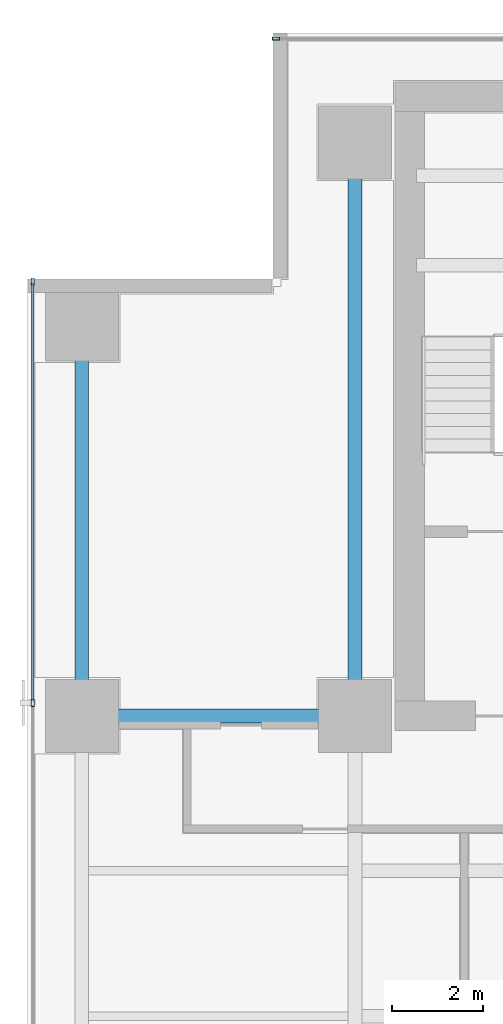
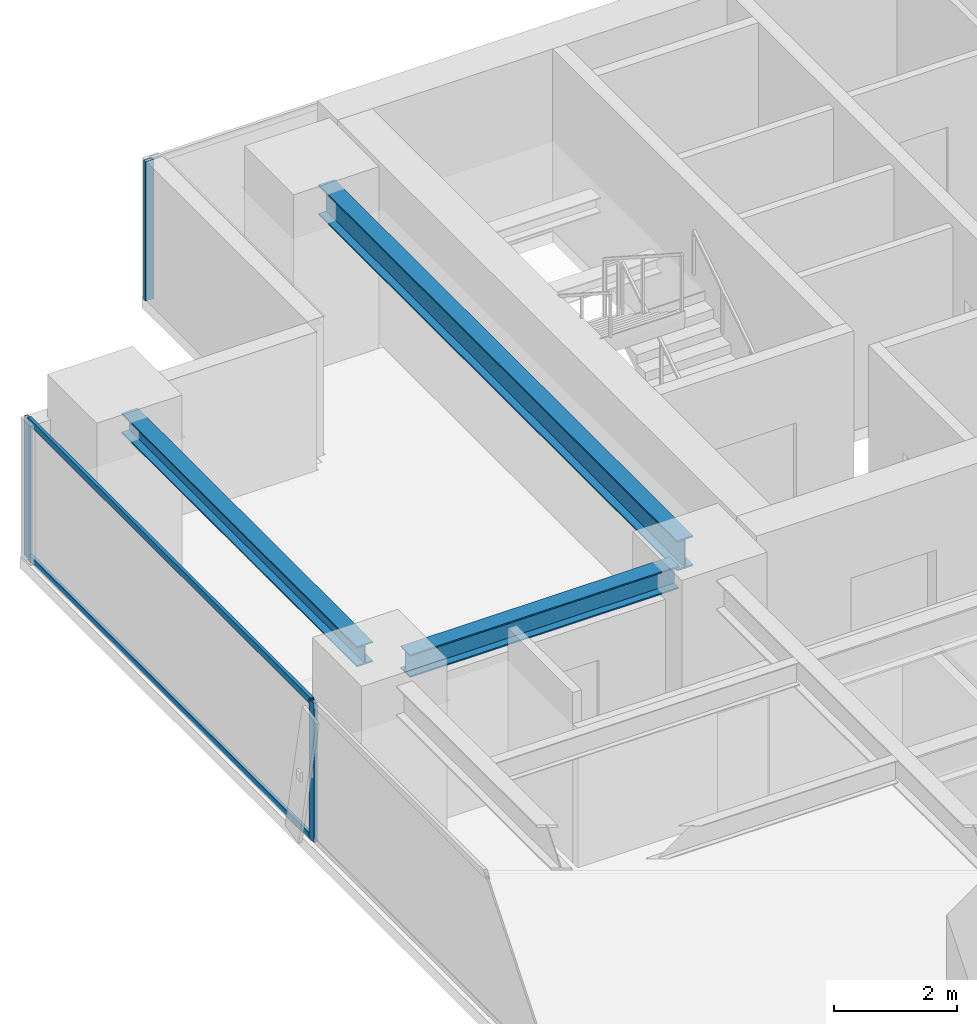
# One storey, part 14 of 27: 5 members, 3 beams, 2 elements without a shape of their own.
"""IFC4 building model written with IfcOpenShell, lengths in metres."""

from ifc_helpers import new_model, si_unit, direction, frame, origin, origin_2d, place, context, subcontext, project, spatial, hollow_rectangle, i_section, extrude, source, transform, mapped, material, layer, layer_set, material_profile, profile_set, type_object, element, aggregate, save


model = new_model("IFC4")

# Units and contexts
model_context = context("Model", 3, precision=1e-05, world=origin(), true_north=direction((0.0, 1.0)))
body_context = subcontext(model_context, "Body", "Model", "MODEL_VIEW")
ifc_project = project(units=[si_unit("LENGTHUNIT", "METRE"), si_unit("AREAUNIT", "SQUARE_METRE"), si_unit("VOLUMEUNIT", "CUBIC_METRE"), si_unit("PLANEANGLEUNIT", "RADIAN"), si_unit("MASSUNIT", "GRAM", prefix="KILO")], contexts=[model_context])

# Site, building, storey
site_placement = place(None, origin())
site = spatial("IfcSite", under=ifc_project, at=site_placement, CompositionType="ELEMENT")
building_placement = place(site_placement, origin())
building = spatial("IfcBuilding", under=site, at=building_placement, Name="Sumidabori Civic Tower", CompositionType="ELEMENT")
storey_placement = place(building_placement, frame((0.0, 0.0, 160.39990234375)))
storey = spatial("IfcBuildingStorey", under=building, at=storey_placement, Name="L41", CompositionType="ELEMENT", Elevation=160.39990234375)

# Beams
ifc_material_1 = material(Name="Steel SN490", Category="steel")
ifc_material_profile_1 = material_profile(ifc_material_1, i_section(OverallWidth=0.300048828125, OverallDepth=0.39990234375, WebThickness=0.013427734375, FlangeThickness=0.02392578125, at=origin_2d()), Name="HE 400 B")
ifc_profile_set_1 = profile_set([ifc_material_profile_1], Name="Steel SN490")
beam_type_1 = type_object("IfcBeamType", Name="BM-GIRD-400", PredefinedType="BEAM", material=ifc_profile_set_1)
shared_shape_1 = source(origin(), body_context, "Body", "SweptSolid", [
    extrude(i_section(OverallWidth=0.300048828125, OverallDepth=0.39990234375, WebThickness=0.013427734375, FlangeThickness=0.02392578125, at=origin_2d()), origin(), (0.0, 0.0, 1.0), 7.64013671875),
])
beam_1_placement = place(storey_placement, frame((-22.800048828125, 10.679931640625, 3.18017578125), z_axis=(0.0, 1.0, 0.0), x_axis=(-1.0, 0.0, 0.0)))
element("IfcBeam", 1, at=beam_1_placement, inside=storey, type_object=beam_type_1, Name="Primary Girder L41 GY-21", PredefinedType="BEAM", context=body_context, shape_type="MappedRepresentation", body=[
    mapped(shared_shape_1, transform((0.0, 0.0, 0.0), x_axis=(1.0, 0.0, 0.0), y_axis=(0.0, 1.0, 0.0), z_axis=(0.0, 0.0, 1.0), scale=1.0)),
])
ifc_material_profile_2 = material_profile(ifc_material_1, i_section(OverallWidth=0.300048828125, OverallDepth=0.60009765625, WebThickness=0.015380859375, FlangeThickness=0.030029296875, at=origin_2d()), Name="HE 600 B")
ifc_profile_set_2 = profile_set([ifc_material_profile_2], Name="Steel SN490")
beam_type_2 = type_object("IfcBeamType", Name="BM-GIRD-600", PredefinedType="BEAM", material=ifc_profile_set_2)
shared_shape_2 = source(origin(), body_context, "Body", "SweptSolid", [
    extrude(i_section(OverallWidth=0.300048828125, OverallDepth=0.60009765625, WebThickness=0.015380859375, FlangeThickness=0.030029296875, at=origin_2d()), origin(), (0.0, 0.0, 1.0), 11.64013671875),
])
beam_2_placement = place(storey_placement, frame((-16.800048828125, 10.679931640625, 3.080078125), z_axis=(0.0, 1.0, 0.0), x_axis=(-1.0, 0.0, 0.0)))
element("IfcBeam", 2, at=beam_2_placement, inside=storey, type_object=beam_type_2, Name="Primary Girder L41 GY-25", PredefinedType="BEAM", context=body_context, shape_type="MappedRepresentation", body=[
    mapped(shared_shape_2, transform((0.0, 0.0, 0.0), x_axis=(1.0, 0.0, 0.0), y_axis=(0.0, 1.0, 0.0), z_axis=(0.0, 0.0, 1.0), scale=1.0)),
])
ifc_material_profile_3 = material_profile(ifc_material_1, i_section(OverallWidth=0.300048828125, OverallDepth=0.449951171875, WebThickness=0.013916015625, FlangeThickness=0.02587890625, at=origin_2d()), Name="HE 450 B")
ifc_profile_set_3 = profile_set([ifc_material_profile_3], Name="Steel SN490")
beam_type_3 = type_object("IfcBeamType", Name="BM-GIRD-450", PredefinedType="BEAM", material=ifc_profile_set_3)
shared_shape_3 = source(origin(), body_context, "Body", "SweptSolid", [
    extrude(i_section(OverallWidth=0.300048828125, OverallDepth=0.449951171875, WebThickness=0.013916015625, FlangeThickness=0.02587890625, at=origin_2d()), origin(), (0.0, 0.0, 1.0), 5.0400390625),
])
beam_3_placement = place(storey_placement, frame((-22.320068359375, 10.199951171875, 3.155029296875), z_axis=(1.0, 0.0, 0.0), x_axis=(0.0, 1.0, 0.0)))
element("IfcBeam", 3, at=beam_3_placement, inside=storey, type_object=beam_type_3, Name="Primary Girder L41 GX-17", PredefinedType="BEAM", context=body_context, shape_type="MappedRepresentation", body=[
    mapped(shared_shape_3, transform((0.0, 0.0, 0.0), x_axis=(1.0, 0.0, 0.0), y_axis=(0.0, 1.0, 0.0), z_axis=(0.0, 0.0, 1.0), scale=1.0)),
])

# Curtain wall, member
ifc_material_2 = material(Name="Anodised Bronze Aluminium AW-6063-T6", Category="aluminium")
ifc_layer = layer(ifc_material_2, 0.179931640625, Name="Anodised Bronze Aluminium AW-6063-T6")
ifc_layer_set = layer_set([ifc_layer], Name="Anodised Bronze Aluminium AW-6063-T6")
curtain_wall_type = type_object("IfcCurtainWallType", Name="CW-SYS-3", PredefinedType="NOTDEFINED", material=ifc_layer_set)
curtain_wall_1_placement = place(storey_placement, origin())
curtain_wall_1 = element("IfcCurtainWall", 4, at=curtain_wall_1_placement, inside=storey, type_object=curtain_wall_type, Name="Curtain Wall CW:L41:R07", PredefinedType="NOTDEFINED")
ifc_material_profile_4 = material_profile(ifc_material_2, hollow_rectangle(XDim=0.06494140625, YDim=0.159912109375, WallThickness=0.0048828125, at=origin_2d()), Name="ALU MULLION 160x65")
ifc_profile_set_4 = profile_set([ifc_material_profile_4], Name="Anodised Bronze Aluminium AW-6063-T6")
member_type_1 = type_object("IfcMemberType", Name="CW-MUL-160", PredefinedType="MULLION", material=ifc_profile_set_4)
shared_shape_4 = source(origin(), body_context, "Body", "SweptSolid", [
    extrude(hollow_rectangle(XDim=0.06494140625, YDim=0.159912109375, WallThickness=0.0048828125, at=origin_2d()), origin(), (0.0, 0.0, 1.0), 2.760009765625),
])
member_1_placement = place(storey_placement, frame((-18.53759765625, 25.080078125, 0.0), z_axis=(0.0, 0.0, 1.0), x_axis=(0.0, -1.0, 0.0)))
member_1 = element("IfcMember", 5, at=member_1_placement, type_object=member_type_1, Name="CW-3 mullion 5", PredefinedType="MULLION", context=body_context, shape_type="MappedRepresentation", body=[
    mapped(shared_shape_4, transform((0.0, 0.0, 0.0), x_axis=(1.0, 0.0, 0.0), y_axis=(0.0, 1.0, 0.0), z_axis=(0.0, 0.0, 1.0), scale=1.0)),
])
aggregate(curtain_wall_1, [member_1])

# Curtain wall, members
curtain_wall_2_placement = place(storey_placement, origin())
curtain_wall_2 = element("IfcCurtainWall", 6, at=curtain_wall_2_placement, inside=storey, type_object=curtain_wall_type, Name="Curtain Wall CW:L41:R10", PredefinedType="NOTDEFINED")
member_2_placement = place(storey_placement, frame((-23.8798828125, 19.737548828125, 0.0), z_axis=(0.0, 0.0, 1.0), x_axis=(1.0, 0.0, 0.0)))
member_2 = element("IfcMember", 7, at=member_2_placement, type_object=member_type_1, Name="CW-3 mullion 1", PredefinedType="MULLION", context=body_context, shape_type="MappedRepresentation", body=[
    mapped(shared_shape_4, transform((0.0, 0.0, 0.0), x_axis=(1.0, 0.0, 0.0), y_axis=(0.0, 1.0, 0.0), z_axis=(0.0, 0.0, 1.0), scale=1.0)),
])
member_3_placement = place(storey_placement, frame((-23.8798828125, 10.485107421875, 0.0), z_axis=(0.0, 0.0, 1.0), x_axis=(1.0, 0.0, 0.0)))
member_3 = element("IfcMember", 8, at=member_3_placement, type_object=member_type_1, Name="CW-3 mullion 2", PredefinedType="MULLION", context=body_context, shape_type="MappedRepresentation", body=[
    mapped(shared_shape_4, transform((0.0, 0.0, 0.0), x_axis=(1.0, 0.0, 0.0), y_axis=(0.0, 1.0, 0.0), z_axis=(0.0, 0.0, 1.0), scale=1.0)),
])
ifc_material_profile_5 = material_profile(ifc_material_2, hollow_rectangle(XDim=0.06005859375, YDim=0.1298828125, WallThickness=0.0048828125, at=origin_2d()), Name="ALU TRANSOM 130x60")
ifc_profile_set_5 = profile_set([ifc_material_profile_5], Name="Anodised Bronze Aluminium AW-6063-T6")
member_type_2 = type_object("IfcMemberType", Name="CW-TRN-130", PredefinedType="USERDEFINED", material=ifc_profile_set_5)
shared_shape_5 = source(origin(), body_context, "Body", "SweptSolid", [
    extrude(hollow_rectangle(XDim=0.06005859375, YDim=0.1298828125, WallThickness=0.0048828125, at=origin_2d()), origin(), (0.0, 0.0, 1.0), 9.1875),
])
member_4_placement = place(storey_placement, frame((-23.8798828125, 19.705078125, 0.030029296875), z_axis=(0.0, -1.0, 0.0), x_axis=(1.0, 0.0, 0.0)))
member_4 = element("IfcMember", 9, at=member_4_placement, type_object=member_type_2, Name="CW-3 transom 1.1", ObjectType="TRANSOM", PredefinedType="USERDEFINED", context=body_context, shape_type="MappedRepresentation", body=[
    mapped(shared_shape_5, transform((0.0, 0.0, 0.0), x_axis=(1.0, 0.0, 0.0), y_axis=(0.0, 1.0, 0.0), z_axis=(0.0, 0.0, 1.0), scale=1.0)),
])
member_5_placement = place(storey_placement, frame((-23.8798828125, 19.705078125, 2.72998046875), z_axis=(0.0, -1.0, 0.0), x_axis=(1.0, 0.0, 0.0)))
member_5 = element("IfcMember", 10, at=member_5_placement, type_object=member_type_2, Name="CW-3 transom 1.2", ObjectType="TRANSOM", PredefinedType="USERDEFINED", context=body_context, shape_type="MappedRepresentation", body=[
    mapped(shared_shape_5, transform((0.0, 0.0, 0.0), x_axis=(1.0, 0.0, 0.0), y_axis=(0.0, 1.0, 0.0), z_axis=(0.0, 0.0, 1.0), scale=1.0)),
])
aggregate(curtain_wall_2, [member_2, member_3, member_4, member_5])

save(model, "model.ifc")
